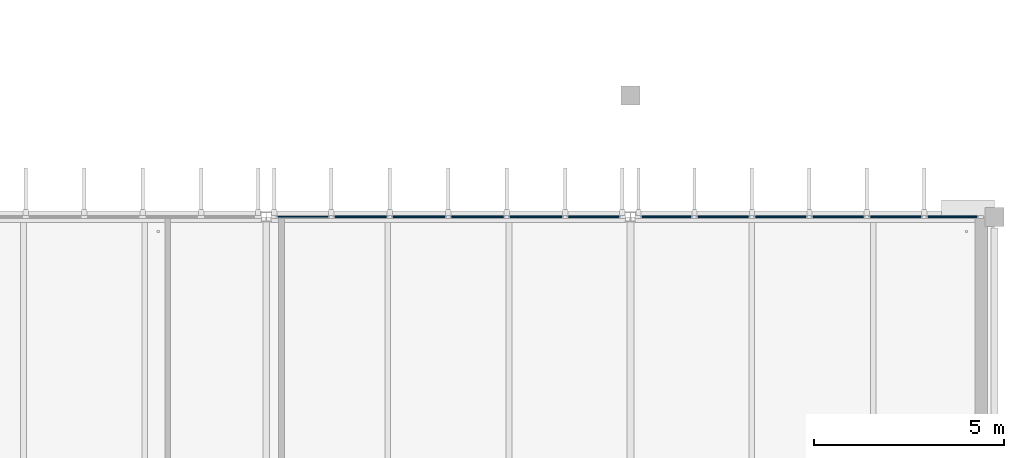
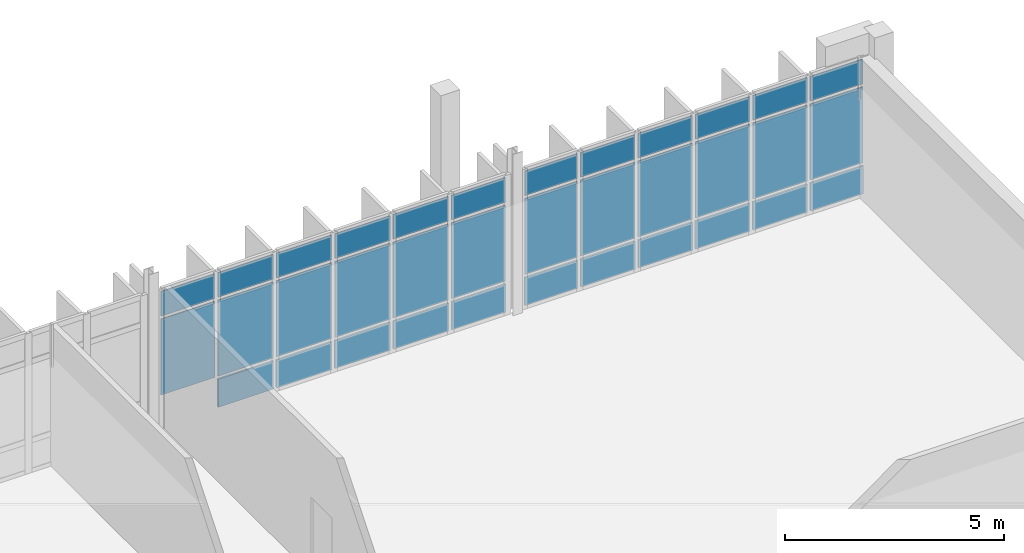
# One storey, part 55 of 107: 35 plates, 2 elements without a shape of their own.
"""IFC4 building model written with IfcOpenShell, lengths in metres."""

from ifc_helpers import new_model, si_unit, direction, frame, origin, origin_2d, place, context, subcontext, project, spatial, rectangle, extrude, material, layer, layer_set, type_object, element, aggregate, save


model = new_model("IFC4")

# Units and contexts
model_context = context("Model", 3, precision=1e-05, world=origin(), true_north=direction((0.0, 1.0)))
body_context = subcontext(model_context, "Body", "Model", "MODEL_VIEW")
ifc_project = project(units=[si_unit("LENGTHUNIT", "METRE"), si_unit("AREAUNIT", "SQUARE_METRE"), si_unit("VOLUMEUNIT", "CUBIC_METRE"), si_unit("PLANEANGLEUNIT", "RADIAN"), si_unit("MASSUNIT", "GRAM", prefix="KILO")], contexts=[model_context])

# Site, building, storey
site_placement = place(None, origin())
site = spatial("IfcSite", under=ifc_project, at=site_placement, CompositionType="ELEMENT")
building_placement = place(site_placement, origin())
building = spatial("IfcBuilding", under=site, at=building_placement, Name="Dunescarp Central Library", CompositionType="ELEMENT")
storey_placement = place(building_placement, frame((0.0, 0.0, 5.10009765625)))
storey = spatial("IfcBuildingStorey", under=building, at=storey_placement, Name="L01", CompositionType="ELEMENT", Elevation=5.10009765625)

# Curtain wall, plates
ifc_material_1 = material(Name="Marine-grade anodised aluminium 6063-T6", Category="aluminium")
curtain_wall_type = type_object("IfcCurtainWallType", Name="ARC-CW-STICK", PredefinedType="NOTDEFINED", material=ifc_material_1)
curtain_wall_1_placement = place(storey_placement, origin())
curtain_wall_1 = element("IfcCurtainWall", 1, at=curtain_wall_1_placement, inside=storey, type_object=curtain_wall_type, Name="L01 curtain wall CW-V5-159", PredefinedType="NOTDEFINED")
ifc_material_2 = material(Name="Solar-control laminated double glazing", Category="glass")
ifc_layer_1 = layer(ifc_material_2, 0.028076171875)
ifc_layer_set_1 = layer_set([ifc_layer_1], Name="Solar-control laminated double glazing")
plate_type_1 = type_object("IfcPlateType", Name="ARC-PLT-GLZ28", PredefinedType="CURTAIN_PANEL", material=ifc_layer_set_1)
plate_1_placement = place(storey_placement, frame((149.765869140625, 44.800048828125, 0.93994140625), z_axis=(0.0, 0.0, 1.0), x_axis=(1.0, 0.0, 0.0)))
plate_1 = element("IfcPlate", 2, at=plate_1_placement, type_object=plate_type_1, Name="CW-V5-159 panel 1.2", PredefinedType="CURTAIN_PANEL", context=body_context, shape_type="SweptSolid", body=[
    extrude(rectangle(XDim=1.421630859375, YDim=0.028076171875, at=origin_2d()), origin(), (0.0, 0.0, 1.0), 2.1201171875),
])
plate_2_placement = place(storey_placement, frame((149.765869140625, 44.800048828125, 3.139892578125), z_axis=(0.0, 0.0, 1.0), x_axis=(1.0, 0.0, 0.0)))
plate_2 = element("IfcPlate", 3, at=plate_2_placement, type_object=plate_type_1, Name="CW-V5-159 panel 1.3", PredefinedType="CURTAIN_PANEL", context=body_context, shape_type="SweptSolid", body=[
    extrude(rectangle(XDim=1.421630859375, YDim=0.028076171875, at=origin_2d()), origin(), (0.0, 0.0, 1.0), 0.68994140625),
])
plate_3_placement = place(storey_placement, frame((151.28759765625, 44.800048828125, 0.93994140625), z_axis=(0.0, 0.0, 1.0), x_axis=(1.0, 0.0, 0.0)))
plate_3 = element("IfcPlate", 4, at=plate_3_placement, type_object=plate_type_1, Name="CW-V5-159 panel 2.2", PredefinedType="CURTAIN_PANEL", context=body_context, shape_type="SweptSolid", body=[
    extrude(rectangle(XDim=1.461669921875, YDim=0.028076171875, at=origin_2d()), origin(), (0.0, 0.0, 1.0), 2.1201171875),
])
plate_4_placement = place(storey_placement, frame((151.28759765625, 44.800048828125, 3.139892578125), z_axis=(0.0, 0.0, 1.0), x_axis=(1.0, 0.0, 0.0)))
plate_4 = element("IfcPlate", 5, at=plate_4_placement, type_object=plate_type_1, Name="CW-V5-159 panel 2.3", PredefinedType="CURTAIN_PANEL", context=body_context, shape_type="SweptSolid", body=[
    extrude(rectangle(XDim=1.461669921875, YDim=0.028076171875, at=origin_2d()), origin(), (0.0, 0.0, 1.0), 0.68994140625),
])
plate_5_placement = place(storey_placement, frame((152.8291015625, 44.800048828125, 0.93994140625), z_axis=(0.0, 0.0, 1.0), x_axis=(1.0, 0.0, 0.0)))
plate_5 = element("IfcPlate", 6, at=plate_5_placement, type_object=plate_type_1, Name="CW-V5-159 panel 3.2", PredefinedType="CURTAIN_PANEL", context=body_context, shape_type="SweptSolid", body=[
    extrude(rectangle(XDim=1.461669921875, YDim=0.028076171875, at=origin_2d()), origin(), (0.0, 0.0, 1.0), 2.1201171875),
])
plate_6_placement = place(storey_placement, frame((152.8291015625, 44.800048828125, 3.139892578125), z_axis=(0.0, 0.0, 1.0), x_axis=(1.0, 0.0, 0.0)))
plate_6 = element("IfcPlate", 7, at=plate_6_placement, type_object=plate_type_1, Name="CW-V5-159 panel 3.3", PredefinedType="CURTAIN_PANEL", context=body_context, shape_type="SweptSolid", body=[
    extrude(rectangle(XDim=1.461669921875, YDim=0.028076171875, at=origin_2d()), origin(), (0.0, 0.0, 1.0), 0.68994140625),
])
plate_7_placement = place(storey_placement, frame((154.370849609375, 44.800048828125, 0.93994140625), z_axis=(0.0, 0.0, 1.0), x_axis=(1.0, 0.0, 0.0)))
plate_7 = element("IfcPlate", 8, at=plate_7_placement, type_object=plate_type_1, Name="CW-V5-159 panel 4.2", PredefinedType="CURTAIN_PANEL", context=body_context, shape_type="SweptSolid", body=[
    extrude(rectangle(XDim=1.461669921875, YDim=0.028076171875, at=origin_2d()), origin(), (0.0, 0.0, 1.0), 2.1201171875),
])
plate_8_placement = place(storey_placement, frame((154.370849609375, 44.800048828125, 3.139892578125), z_axis=(0.0, 0.0, 1.0), x_axis=(1.0, 0.0, 0.0)))
plate_8 = element("IfcPlate", 9, at=plate_8_placement, type_object=plate_type_1, Name="CW-V5-159 panel 4.3", PredefinedType="CURTAIN_PANEL", context=body_context, shape_type="SweptSolid", body=[
    extrude(rectangle(XDim=1.461669921875, YDim=0.028076171875, at=origin_2d()), origin(), (0.0, 0.0, 1.0), 0.68994140625),
])
plate_9_placement = place(storey_placement, frame((155.91259765625, 44.800048828125, 0.93994140625), z_axis=(0.0, 0.0, 1.0), x_axis=(1.0, 0.0, 0.0)))
plate_9 = element("IfcPlate", 10, at=plate_9_placement, type_object=plate_type_1, Name="CW-V5-159 panel 5.2", PredefinedType="CURTAIN_PANEL", context=body_context, shape_type="SweptSolid", body=[
    extrude(rectangle(XDim=1.461669921875, YDim=0.028076171875, at=origin_2d()), origin(), (0.0, 0.0, 1.0), 2.1201171875),
])
plate_10_placement = place(storey_placement, frame((155.91259765625, 44.800048828125, 3.139892578125), z_axis=(0.0, 0.0, 1.0), x_axis=(1.0, 0.0, 0.0)))
plate_10 = element("IfcPlate", 11, at=plate_10_placement, type_object=plate_type_1, Name="CW-V5-159 panel 5.3", PredefinedType="CURTAIN_PANEL", context=body_context, shape_type="SweptSolid", body=[
    extrude(rectangle(XDim=1.461669921875, YDim=0.028076171875, at=origin_2d()), origin(), (0.0, 0.0, 1.0), 0.68994140625),
])
plate_11_placement = place(storey_placement, frame((157.43408203125, 44.800048828125, 0.93994140625), z_axis=(0.0, 0.0, 1.0), x_axis=(1.0, 0.0, 0.0)))
plate_11 = element("IfcPlate", 12, at=plate_11_placement, type_object=plate_type_1, Name="CW-V5-159 panel 6.2", PredefinedType="CURTAIN_PANEL", context=body_context, shape_type="SweptSolid", body=[
    extrude(rectangle(XDim=1.421630859375, YDim=0.028076171875, at=origin_2d()), origin(), (0.0, 0.0, 1.0), 2.1201171875),
])
plate_12_placement = place(storey_placement, frame((157.43408203125, 44.800048828125, 3.139892578125), z_axis=(0.0, 0.0, 1.0), x_axis=(1.0, 0.0, 0.0)))
plate_12 = element("IfcPlate", 13, at=plate_12_placement, type_object=plate_type_1, Name="CW-V5-159 panel 6.3", PredefinedType="CURTAIN_PANEL", context=body_context, shape_type="SweptSolid", body=[
    extrude(rectangle(XDim=1.421630859375, YDim=0.028076171875, at=origin_2d()), origin(), (0.0, 0.0, 1.0), 0.68994140625),
])

curtain_wall_2_placement = place(storey_placement, origin())
curtain_wall_2 = element("IfcCurtainWall", 14, at=curtain_wall_2_placement, inside=storey, type_object=curtain_wall_type, Name="L01 curtain wall CW-V5-160", PredefinedType="NOTDEFINED")
plate_13_placement = place(storey_placement, frame((159.3525390625, 44.800048828125, 0.93994140625), z_axis=(0.0, 0.0, 1.0), x_axis=(1.0, 0.0, 0.0)))
plate_13 = element("IfcPlate", 15, at=plate_13_placement, type_object=plate_type_1, Name="CW-V5-160 panel 1.2", PredefinedType="CURTAIN_PANEL", context=body_context, shape_type="SweptSolid", body=[
    extrude(rectangle(XDim=1.39501953125, YDim=0.028076171875, at=origin_2d()), origin(), (0.0, 0.0, 1.0), 2.1201171875),
])
plate_14_placement = place(storey_placement, frame((159.3525390625, 44.800048828125, 3.139892578125), z_axis=(0.0, 0.0, 1.0), x_axis=(1.0, 0.0, 0.0)))
plate_14 = element("IfcPlate", 16, at=plate_14_placement, type_object=plate_type_1, Name="CW-V5-160 panel 1.3", PredefinedType="CURTAIN_PANEL", context=body_context, shape_type="SweptSolid", body=[
    extrude(rectangle(XDim=1.39501953125, YDim=0.028076171875, at=origin_2d()), origin(), (0.0, 0.0, 1.0), 0.68994140625),
])
plate_15_placement = place(storey_placement, frame((160.847412109375, 44.800048828125, 0.93994140625), z_axis=(0.0, 0.0, 1.0), x_axis=(1.0, 0.0, 0.0)))
plate_15 = element("IfcPlate", 17, at=plate_15_placement, type_object=plate_type_1, Name="CW-V5-160 panel 2.2", PredefinedType="CURTAIN_PANEL", context=body_context, shape_type="SweptSolid", body=[
    extrude(rectangle(XDim=1.43505859375, YDim=0.028076171875, at=origin_2d()), origin(), (0.0, 0.0, 1.0), 2.1201171875),
])
plate_16_placement = place(storey_placement, frame((160.847412109375, 44.800048828125, 3.139892578125), z_axis=(0.0, 0.0, 1.0), x_axis=(1.0, 0.0, 0.0)))
plate_16 = element("IfcPlate", 18, at=plate_16_placement, type_object=plate_type_1, Name="CW-V5-160 panel 2.3", PredefinedType="CURTAIN_PANEL", context=body_context, shape_type="SweptSolid", body=[
    extrude(rectangle(XDim=1.43505859375, YDim=0.028076171875, at=origin_2d()), origin(), (0.0, 0.0, 1.0), 0.68994140625),
])
plate_17_placement = place(storey_placement, frame((162.362548828125, 44.800048828125, 0.93994140625), z_axis=(0.0, 0.0, 1.0), x_axis=(1.0, 0.0, 0.0)))
plate_17 = element("IfcPlate", 19, at=plate_17_placement, type_object=plate_type_1, Name="CW-V5-160 panel 3.2", PredefinedType="CURTAIN_PANEL", context=body_context, shape_type="SweptSolid", body=[
    extrude(rectangle(XDim=1.43505859375, YDim=0.028076171875, at=origin_2d()), origin(), (0.0, 0.0, 1.0), 2.1201171875),
])
plate_18_placement = place(storey_placement, frame((162.362548828125, 44.800048828125, 3.139892578125), z_axis=(0.0, 0.0, 1.0), x_axis=(1.0, 0.0, 0.0)))
plate_18 = element("IfcPlate", 20, at=plate_18_placement, type_object=plate_type_1, Name="CW-V5-160 panel 3.3", PredefinedType="CURTAIN_PANEL", context=body_context, shape_type="SweptSolid", body=[
    extrude(rectangle(XDim=1.43505859375, YDim=0.028076171875, at=origin_2d()), origin(), (0.0, 0.0, 1.0), 0.68994140625),
])
plate_19_placement = place(storey_placement, frame((163.87744140625, 44.800048828125, 0.93994140625), z_axis=(0.0, 0.0, 1.0), x_axis=(1.0, 0.0, 0.0)))
plate_19 = element("IfcPlate", 21, at=plate_19_placement, type_object=plate_type_1, Name="CW-V5-160 panel 4.2", PredefinedType="CURTAIN_PANEL", context=body_context, shape_type="SweptSolid", body=[
    extrude(rectangle(XDim=1.43505859375, YDim=0.028076171875, at=origin_2d()), origin(), (0.0, 0.0, 1.0), 2.1201171875),
])
plate_20_placement = place(storey_placement, frame((163.87744140625, 44.800048828125, 3.139892578125), z_axis=(0.0, 0.0, 1.0), x_axis=(1.0, 0.0, 0.0)))
plate_20 = element("IfcPlate", 22, at=plate_20_placement, type_object=plate_type_1, Name="CW-V5-160 panel 4.3", PredefinedType="CURTAIN_PANEL", context=body_context, shape_type="SweptSolid", body=[
    extrude(rectangle(XDim=1.43505859375, YDim=0.028076171875, at=origin_2d()), origin(), (0.0, 0.0, 1.0), 0.68994140625),
])
plate_21_placement = place(storey_placement, frame((165.392578125, 44.800048828125, 0.93994140625), z_axis=(0.0, 0.0, 1.0), x_axis=(1.0, 0.0, 0.0)))
plate_21 = element("IfcPlate", 23, at=plate_21_placement, type_object=plate_type_1, Name="CW-V5-160 panel 5.2", PredefinedType="CURTAIN_PANEL", context=body_context, shape_type="SweptSolid", body=[
    extrude(rectangle(XDim=1.43505859375, YDim=0.028076171875, at=origin_2d()), origin(), (0.0, 0.0, 1.0), 2.1201171875),
])
plate_22_placement = place(storey_placement, frame((165.392578125, 44.800048828125, 3.139892578125), z_axis=(0.0, 0.0, 1.0), x_axis=(1.0, 0.0, 0.0)))
plate_22 = element("IfcPlate", 24, at=plate_22_placement, type_object=plate_type_1, Name="CW-V5-160 panel 5.3", PredefinedType="CURTAIN_PANEL", context=body_context, shape_type="SweptSolid", body=[
    extrude(rectangle(XDim=1.43505859375, YDim=0.028076171875, at=origin_2d()), origin(), (0.0, 0.0, 1.0), 0.68994140625),
])
plate_23_placement = place(storey_placement, frame((166.887451171875, 44.800048828125, 0.93994140625), z_axis=(0.0, 0.0, 1.0), x_axis=(1.0, 0.0, 0.0)))
plate_23 = element("IfcPlate", 25, at=plate_23_placement, type_object=plate_type_1, Name="CW-V5-160 panel 6.2", PredefinedType="CURTAIN_PANEL", context=body_context, shape_type="SweptSolid", body=[
    extrude(rectangle(XDim=1.39501953125, YDim=0.028076171875, at=origin_2d()), origin(), (0.0, 0.0, 1.0), 2.1201171875),
])
plate_24_placement = place(storey_placement, frame((166.887451171875, 44.800048828125, 3.139892578125), z_axis=(0.0, 0.0, 1.0), x_axis=(1.0, 0.0, 0.0)))
plate_24 = element("IfcPlate", 26, at=plate_24_placement, type_object=plate_type_1, Name="CW-V5-160 panel 6.3", PredefinedType="CURTAIN_PANEL", context=body_context, shape_type="SweptSolid", body=[
    extrude(rectangle(XDim=1.39501953125, YDim=0.028076171875, at=origin_2d()), origin(), (0.0, 0.0, 1.0), 0.68994140625),
])

# Plate
ifc_layer_2 = layer(ifc_material_1, 0.050048828125)
ifc_layer_set_2 = layer_set([ifc_layer_2], Name="Marine-grade anodised aluminium 6063-T6")
plate_type_2 = type_object("IfcPlateType", Name="ARC-PLT-SPN50", PredefinedType="SHEET", material=ifc_layer_set_2)
plate_25_placement = place(storey_placement, frame((151.28759765625, 44.800048828125, 0.080078125), z_axis=(0.0, 0.0, 1.0), x_axis=(1.0, 0.0, 0.0)))
plate_25 = element("IfcPlate", 27, at=plate_25_placement, type_object=plate_type_2, Name="CW-V5-159 panel 2.1", PredefinedType="SHEET", context=body_context, shape_type="SweptSolid", body=[
    extrude(rectangle(XDim=1.461669921875, YDim=0.050048828125, at=origin_2d()), origin(), (0.0, 0.0, 1.0), 0.780029296875),
])

plate_26_placement = place(storey_placement, frame((152.8291015625, 44.800048828125, 0.080078125), z_axis=(0.0, 0.0, 1.0), x_axis=(1.0, 0.0, 0.0)))
plate_26 = element("IfcPlate", 28, at=plate_26_placement, type_object=plate_type_2, Name="CW-V5-159 panel 3.1", PredefinedType="SHEET", context=body_context, shape_type="SweptSolid", body=[
    extrude(rectangle(XDim=1.461669921875, YDim=0.050048828125, at=origin_2d()), origin(), (0.0, 0.0, 1.0), 0.780029296875),
])

plate_27_placement = place(storey_placement, frame((154.370849609375, 44.800048828125, 0.080078125), z_axis=(0.0, 0.0, 1.0), x_axis=(1.0, 0.0, 0.0)))
plate_27 = element("IfcPlate", 29, at=plate_27_placement, type_object=plate_type_2, Name="CW-V5-159 panel 4.1", PredefinedType="SHEET", context=body_context, shape_type="SweptSolid", body=[
    extrude(rectangle(XDim=1.461669921875, YDim=0.050048828125, at=origin_2d()), origin(), (0.0, 0.0, 1.0), 0.780029296875),
])

plate_28_placement = place(storey_placement, frame((155.91259765625, 44.800048828125, 0.080078125), z_axis=(0.0, 0.0, 1.0), x_axis=(1.0, 0.0, 0.0)))
plate_28 = element("IfcPlate", 30, at=plate_28_placement, type_object=plate_type_2, Name="CW-V5-159 panel 5.1", PredefinedType="SHEET", context=body_context, shape_type="SweptSolid", body=[
    extrude(rectangle(XDim=1.461669921875, YDim=0.050048828125, at=origin_2d()), origin(), (0.0, 0.0, 1.0), 0.780029296875),
])

plate_29_placement = place(storey_placement, frame((157.43408203125, 44.800048828125, 0.080078125), z_axis=(0.0, 0.0, 1.0), x_axis=(1.0, 0.0, 0.0)))
plate_29 = element("IfcPlate", 31, at=plate_29_placement, type_object=plate_type_2, Name="CW-V5-159 panel 6.1", PredefinedType="SHEET", context=body_context, shape_type="SweptSolid", body=[
    extrude(rectangle(XDim=1.421630859375, YDim=0.050048828125, at=origin_2d()), origin(), (0.0, 0.0, 1.0), 0.780029296875),
])

aggregate(curtain_wall_1, [plate_1, plate_2, plate_25, plate_3, plate_4, plate_26, plate_5, plate_6, plate_27, plate_7, plate_8, plate_28, plate_9, plate_10, plate_29, plate_11, plate_12])

plate_30_placement = place(storey_placement, frame((159.3525390625, 44.800048828125, 0.080078125), z_axis=(0.0, 0.0, 1.0), x_axis=(1.0, 0.0, 0.0)))
plate_30 = element("IfcPlate", 32, at=plate_30_placement, type_object=plate_type_2, Name="CW-V5-160 panel 1.1", PredefinedType="SHEET", context=body_context, shape_type="SweptSolid", body=[
    extrude(rectangle(XDim=1.39501953125, YDim=0.050048828125, at=origin_2d()), origin(), (0.0, 0.0, 1.0), 0.780029296875),
])

plate_31_placement = place(storey_placement, frame((160.847412109375, 44.800048828125, 0.080078125), z_axis=(0.0, 0.0, 1.0), x_axis=(1.0, 0.0, 0.0)))
plate_31 = element("IfcPlate", 33, at=plate_31_placement, type_object=plate_type_2, Name="CW-V5-160 panel 2.1", PredefinedType="SHEET", context=body_context, shape_type="SweptSolid", body=[
    extrude(rectangle(XDim=1.43505859375, YDim=0.050048828125, at=origin_2d()), origin(), (0.0, 0.0, 1.0), 0.780029296875),
])

plate_32_placement = place(storey_placement, frame((162.362548828125, 44.800048828125, 0.080078125), z_axis=(0.0, 0.0, 1.0), x_axis=(1.0, 0.0, 0.0)))
plate_32 = element("IfcPlate", 34, at=plate_32_placement, type_object=plate_type_2, Name="CW-V5-160 panel 3.1", PredefinedType="SHEET", context=body_context, shape_type="SweptSolid", body=[
    extrude(rectangle(XDim=1.43505859375, YDim=0.050048828125, at=origin_2d()), origin(), (0.0, 0.0, 1.0), 0.780029296875),
])

plate_33_placement = place(storey_placement, frame((163.87744140625, 44.800048828125, 0.080078125), z_axis=(0.0, 0.0, 1.0), x_axis=(1.0, 0.0, 0.0)))
plate_33 = element("IfcPlate", 35, at=plate_33_placement, type_object=plate_type_2, Name="CW-V5-160 panel 4.1", PredefinedType="SHEET", context=body_context, shape_type="SweptSolid", body=[
    extrude(rectangle(XDim=1.43505859375, YDim=0.050048828125, at=origin_2d()), origin(), (0.0, 0.0, 1.0), 0.780029296875),
])

plate_34_placement = place(storey_placement, frame((165.392578125, 44.800048828125, 0.080078125), z_axis=(0.0, 0.0, 1.0), x_axis=(1.0, 0.0, 0.0)))
plate_34 = element("IfcPlate", 36, at=plate_34_placement, type_object=plate_type_2, Name="CW-V5-160 panel 5.1", PredefinedType="SHEET", context=body_context, shape_type="SweptSolid", body=[
    extrude(rectangle(XDim=1.43505859375, YDim=0.050048828125, at=origin_2d()), origin(), (0.0, 0.0, 1.0), 0.780029296875),
])

plate_35_placement = place(storey_placement, frame((166.887451171875, 44.800048828125, 0.080078125), z_axis=(0.0, 0.0, 1.0), x_axis=(1.0, 0.0, 0.0)))
plate_35 = element("IfcPlate", 37, at=plate_35_placement, type_object=plate_type_2, Name="CW-V5-160 panel 6.1", PredefinedType="SHEET", context=body_context, shape_type="SweptSolid", body=[
    extrude(rectangle(XDim=1.39501953125, YDim=0.050048828125, at=origin_2d()), origin(), (0.0, 0.0, 1.0), 0.780029296875),
])

aggregate(curtain_wall_2, [plate_30, plate_13, plate_14, plate_31, plate_15, plate_16, plate_32, plate_17, plate_18, plate_33, plate_19, plate_20, plate_34, plate_21, plate_22, plate_35, plate_23, plate_24])

save(model, "model.ifc")
